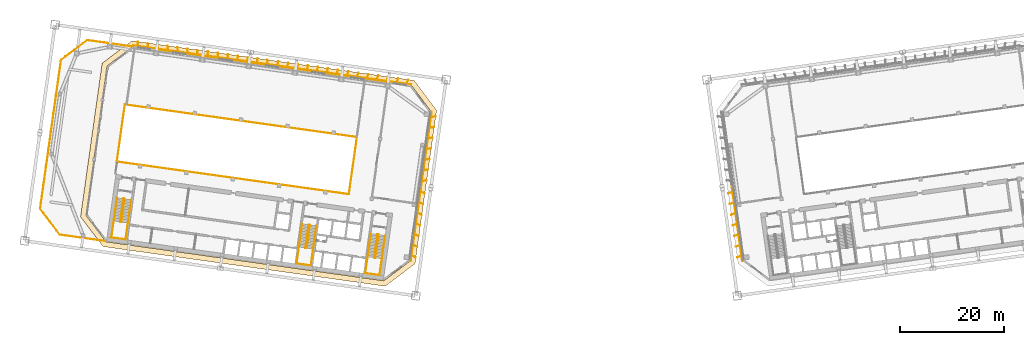
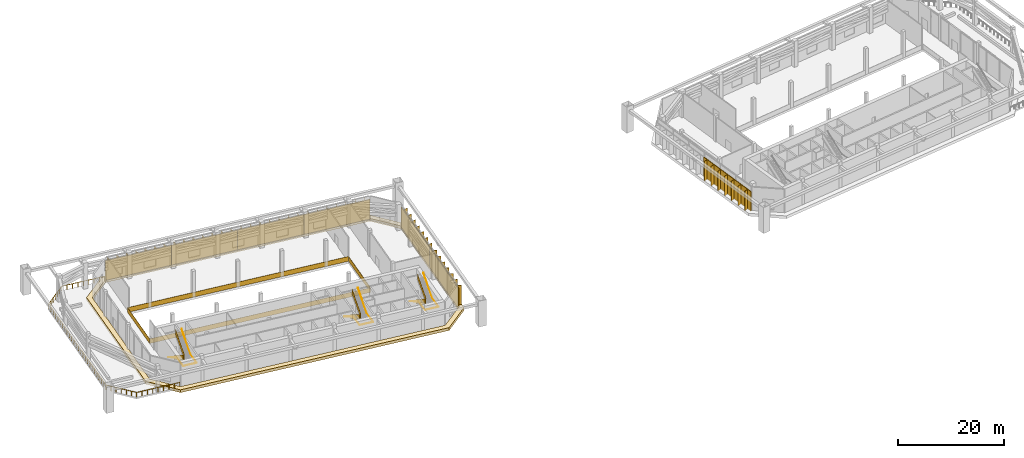
# One storey, part 40 of 41: 8 railings, 7 shading devices, 1 covering.
"""IFC4 building model written with IfcOpenShell, lengths in metres."""

from ifc_helpers import new_model, si_unit, direction, frame, origin, origin_2d, place, context, subcontext, project, spatial, polyline, rectangle, outline, extrude, material, layer, layer_set, type_object, element, save


model = new_model("IFC4")

# Units and contexts
model_context = context("Model", 3, precision=1e-05, world=origin(), true_north=direction((0.0, 1.0)))
body_context = subcontext(model_context, "Body", "Model", "MODEL_VIEW")
ifc_project = project(units=[si_unit("LENGTHUNIT", "METRE"), si_unit("AREAUNIT", "SQUARE_METRE"), si_unit("VOLUMEUNIT", "CUBIC_METRE"), si_unit("PLANEANGLEUNIT", "RADIAN"), si_unit("MASSUNIT", "GRAM", prefix="KILO")], contexts=[model_context])

# Site, building, storey
site_placement = place(None, origin())
site = spatial("IfcSite", under=ifc_project, at=site_placement, CompositionType="ELEMENT")
building_placement = place(site_placement, origin())
building = spatial("IfcBuilding", under=site, at=building_placement, Name="Mirante Cascada Hotel Towers", CompositionType="ELEMENT")
storey_placement = place(building_placement, frame((0.0, 0.0, 92.7)))
storey = spatial("IfcBuildingStorey", under=building, at=storey_placement, Name="L20", CompositionType="ELEMENT", Elevation=92.7)

# Covering
ifc_material_1 = material(Name="Precast concrete C40/50 white", Category="concrete")
ifc_layer = layer(ifc_material_1, 0.6)
ifc_layer_set = layer_set([ifc_layer], Name="Precast concrete SUNSHADE band 1000x600")
covering_type = type_object("IfcCoveringType", Name="Precast concrete SUNSHADE band 1000x600", PredefinedType="CLADDING", material=ifc_layer_set)
covering_placement = place(storey_placement, frame((0.0, 0.0, -0.5)))
element("IfcCovering", 1, at=covering_placement, inside=storey, type_object=covering_type, Name="Precast concrete SUNSHADE band T1 L20", PredefinedType="CLADDING", context=body_context, shape_type="SweptSolid", body=[
    extrude(outline(polyline([(-95.4528, -7.862), (-91.3015, 21.6761), (-85.5574, 26.0046), (-31.2626, 18.374), (-26.9341, 12.6299), (-31.0854, -16.9082), (-36.8295, -21.2367), (-91.1243, -13.6061), (-95.4528, -7.862)]), holes=[polyline([(-27.982, 12.3589), (-31.8119, 17.4414), (-85.2864, 24.9567), (-90.3689, 21.1268), (-94.4049, -7.591), (-90.575, -12.6735), (-37.1005, -20.1888), (-32.018, -16.3589), (-27.982, 12.3589)])]), origin(), (0.0, 0.0, 1.0), 0.65),
])

# Railings
ifc_material_2 = material(Name="Toughened glass", Category="glass")
railing_type_1 = type_object("IfcRailingType", Name="Refuge floor atrium guard 1100 glass balustrade", PredefinedType="GUARDRAIL", material=ifc_material_2)
railing_1_placement = place(storey_placement, frame((-43.7993, -3.5445, 0.0)))
element("IfcRailing", 2, at=railing_1_placement, inside=storey, type_object=railing_type_1, Name="Atrium guard T1 L20", PredefinedType="GUARDRAIL", context=body_context, shape_type="SweptSolid", body=[
    extrude(rectangle(XDim=0.048, YDim=0.048, at=origin_2d()), frame((0.0, 0.0, 1.076), z_axis=(-0.9902681, 0.1391732, 0.0), x_axis=(-0.1391732, -0.9902681, 0.0)), (0.0, 0.0, 1.0), 45.0999),
    extrude(rectangle(XDim=0.02, YDim=1.052, at=origin_2d()), frame((0.0, 0.0, 0.526), z_axis=(-0.9902681, 0.1391732, 0.0), x_axis=(-0.1391732, -0.9902681, 0.0)), (0.0, 0.0, 1.0), 45.0999),
    extrude(rectangle(XDim=0.048, YDim=0.048, at=origin_2d()), frame((-44.661, 6.2767, 1.076), z_axis=(0.1391721, 0.9902682, 0.0), x_axis=(-0.9902682, 0.1391721, 0.0)), (0.0, 0.0, 1.0), 11.0999),
    extrude(rectangle(XDim=0.02, YDim=1.052, at=origin_2d()), frame((-44.661, 6.2767, 0.526), z_axis=(0.1391721, 0.9902682, 0.0), x_axis=(-0.9902682, 0.1391721, 0.0)), (0.0, 0.0, 1.0), 11.0999),
    extrude(rectangle(XDim=0.048, YDim=0.048, at=origin_2d()), frame((-43.1162, 17.2686, 1.076), z_axis=(0.9902681, -0.1391729, 0.0), x_axis=(0.1391729, 0.9902681, 0.0)), (0.0, 0.0, 1.0), 45.1),
    extrude(rectangle(XDim=0.02, YDim=1.052, at=origin_2d()), frame((-43.1162, 17.2686, 0.526), z_axis=(0.9902681, -0.1391729, 0.0), x_axis=(0.1391729, 0.9902681, 0.0)), (0.0, 0.0, 1.0), 45.1),
    extrude(rectangle(XDim=0.048, YDim=0.048, at=origin_2d()), frame((1.5449, 10.9919, 1.076), z_axis=(-0.139181, -0.990267, 0.0), x_axis=(0.990267, -0.139181, 0.0)), (0.0, 0.0, 1.0), 11.0999),
    extrude(rectangle(XDim=0.02, YDim=1.052, at=origin_2d()), frame((1.5449, 10.9919, 0.526), z_axis=(-0.139181, -0.990267, 0.0), x_axis=(0.990267, -0.139181, 0.0)), (0.0, 0.0, 1.0), 11.0999),
])
ifc_material_3 = material(Name="Painted steel", Category="steel")
railing_type_2 = type_object("IfcRailingType", Name="Stair guard 1100 steel balustrade", PredefinedType="GUARDRAIL", material=ifc_material_3)
railing_2_placement = place(storey_placement, frame((-38.1178, -11.2603, 0.0)))
element("IfcRailing", 3, at=railing_2_placement, inside=storey, type_object=railing_type_2, Name="L20 ST1-A stair guard 1", PredefinedType="GUARDRAIL", context=body_context, shape_type="SweptSolid", body=[
    extrude(rectangle(XDim=0.048, YDim=0.048, at=origin_2d()), frame((0.0, 0.0, 1.076), z_axis=(-0.9903326, 0.1387133, 0.0), x_axis=(-0.1387133, -0.9903326, 0.0)), (0.0, 0.0, 1.0), 0.1499),
    extrude(rectangle(XDim=0.02, YDim=1.052, at=origin_2d()), frame((0.0, 0.0, 0.526), z_axis=(-0.9903326, 0.1387133, 0.0), x_axis=(-0.1387133, -0.9903326, 0.0)), (0.0, 0.0, 1.0), 0.1499),
    extrude(rectangle(XDim=0.048, YDim=0.048, at=origin_2d()), frame((-0.1485, 0.0208, 1.076), z_axis=(-0.7991505, -0.6011309, 0.0), x_axis=(0.6011309, -0.7991505, 0.0)), (0.0, 0.9282951, 0.3718444), 0.1901),
    extrude(rectangle(XDim=0.02, YDim=1.052, at=origin_2d()), frame((-0.1485, 0.0208, 0.526), z_axis=(-0.7991505, -0.6011309, 0.0), x_axis=(0.6011309, -0.7991505, 0.0)), (0.0, 0.9282951, 0.3718444), 0.1901),
    extrude(rectangle(XDim=0.048, YDim=0.048, at=origin_2d()), frame((-0.205, -0.0217, 1.2525), z_axis=(-0.1391741, -0.9902679, 0.0), x_axis=(0.9902679, -0.1391741, 0.0)), (0.0, 0.5331864, 0.8459978), 5.2955),
    extrude(rectangle(XDim=0.02, YDim=1.052, at=origin_2d()), frame((-0.205, -0.0217, 0.7025), z_axis=(-0.1391741, -0.9902679, 0.0), x_axis=(0.9902679, -0.1391741, 0.0)), (0.0, 0.5331864, 0.8459978), 5.2955),
    extrude(rectangle(XDim=0.048, YDim=0.048, at=origin_2d()), frame((-0.8285, -4.4581, 4.076), z_axis=(0.9268624, -0.3754011, 0.0), x_axis=(0.3754011, 0.9268624, 0.0)), (0.0, 0.0, 1.0), 0.2062),
    extrude(rectangle(XDim=0.02, YDim=1.052, at=origin_2d()), frame((-0.8285, -4.4581, 3.526), z_axis=(0.9268624, -0.3754011, 0.0), x_axis=(0.3754011, 0.9268624, 0.0)), (0.0, 0.0, 1.0), 0.2062),
    extrude(rectangle(XDim=0.048, YDim=0.048, at=origin_2d()), frame((-0.6374, -4.5355, 4.076), z_axis=(-0.9902408, 0.1393672, 0.0), x_axis=(-0.1393672, -0.9902408, 0.0)), (0.0, 0.0, 1.0), 0.15),
    extrude(rectangle(XDim=0.02, YDim=1.052, at=origin_2d()), frame((-0.6374, -4.5355, 3.526), z_axis=(-0.9902408, 0.1393672, 0.0), x_axis=(-0.1393672, -0.9902408, 0.0)), (0.0, 0.0, 1.0), 0.15),
    extrude(rectangle(XDim=0.048, YDim=0.048, at=origin_2d()), frame((-0.7859, -4.5146, 4.076), z_axis=(0.9944441, 0.1052656, 0.0), x_axis=(-0.1052656, 0.9944441, 0.0)), (0.0, 0.650375, 0.7596133), 0.2714),
    extrude(rectangle(XDim=0.02, YDim=1.052, at=origin_2d()), frame((-0.7859, -4.5146, 3.526), z_axis=(0.9944441, 0.1052656, 0.0), x_axis=(-0.1052656, 0.9944441, 0.0)), (0.0, 0.650375, 0.7596133), 0.2714),
    extrude(rectangle(XDim=0.048, YDim=0.048, at=origin_2d()), frame((-0.5809, -4.4929, 4.2525), z_axis=(0.1391741, 0.9902679, 0.0), x_axis=(-0.9902679, 0.1391741, 0.0)), (0.0, 0.5331864, 0.8459978), 5.2955),
    extrude(rectangle(XDim=0.02, YDim=1.052, at=origin_2d()), frame((-0.5809, -4.4929, 3.7025), z_axis=(0.1391741, 0.9902679, 0.0), x_axis=(-0.9902679, 0.1391741, 0.0)), (0.0, 0.5331864, 0.8459978), 5.2955),
])
railing_3_placement = place(storey_placement, frame((-51.3379, -9.4024, 0.0)))
element("IfcRailing", 4, at=railing_3_placement, inside=storey, type_object=railing_type_2, Name="L20 ST1-B stair guard 1", PredefinedType="GUARDRAIL", context=body_context, shape_type="SweptSolid", body=[
    extrude(rectangle(XDim=0.048, YDim=0.048, at=origin_2d()), frame((0.0, 0.0, 1.076), z_axis=(-0.9902408, 0.1393672, 0.0), x_axis=(-0.1393672, -0.9902408, 0.0)), (0.0, 0.0, 1.0), 0.15),
    extrude(rectangle(XDim=0.02, YDim=1.052, at=origin_2d()), frame((0.0, 0.0, 0.526), z_axis=(-0.9902408, 0.1393672, 0.0), x_axis=(-0.1393672, -0.9902408, 0.0)), (0.0, 0.0, 1.0), 0.15),
    extrude(rectangle(XDim=0.048, YDim=0.048, at=origin_2d()), frame((-0.1485, 0.0209, 1.076), z_axis=(-0.7984711, -0.6020331, 0.0), x_axis=(0.6020331, -0.7984711, 0.0)), (0.0, 0.9281858, 0.372117), 0.1902),
    extrude(rectangle(XDim=0.02, YDim=1.052, at=origin_2d()), frame((-0.1485, 0.0209, 0.526), z_axis=(-0.7984711, -0.6020331, 0.0), x_axis=(0.6020331, -0.7984711, 0.0)), (0.0, 0.9281858, 0.372117), 0.1902),
    extrude(rectangle(XDim=0.048, YDim=0.048, at=origin_2d()), frame((-0.205, -0.0217, 1.2525), z_axis=(-0.1391741, -0.9902679, 0.0), x_axis=(0.9902679, -0.1391741, 0.0)), (0.0, 0.5331864, 0.8459978), 5.2955),
    extrude(rectangle(XDim=0.02, YDim=1.052, at=origin_2d()), frame((-0.205, -0.0217, 0.7025), z_axis=(-0.1391741, -0.9902679, 0.0), x_axis=(0.9902679, -0.1391741, 0.0)), (0.0, 0.5331864, 0.8459978), 5.2955),
    extrude(rectangle(XDim=0.048, YDim=0.048, at=origin_2d()), frame((-0.8285, -4.4581, 4.076), z_axis=(0.9270311, -0.3749843, 0.0), x_axis=(0.3749843, 0.9270311, 0.0)), (0.0, 0.0, 1.0), 0.2061),
    extrude(rectangle(XDim=0.02, YDim=1.052, at=origin_2d()), frame((-0.8285, -4.4581, 3.526), z_axis=(0.9270311, -0.3749843, 0.0), x_axis=(0.3749843, 0.9270311, 0.0)), (0.0, 0.0, 1.0), 0.2061),
    extrude(rectangle(XDim=0.048, YDim=0.048, at=origin_2d()), frame((-0.6374, -4.5354, 4.076), z_axis=(-0.9902408, 0.1393672, 0.0), x_axis=(-0.1393672, -0.9902408, 0.0)), (0.0, 0.0, 1.0), 0.15),
    extrude(rectangle(XDim=0.02, YDim=1.052, at=origin_2d()), frame((-0.6374, -4.5354, 3.526), z_axis=(-0.9902408, 0.1393672, 0.0), x_axis=(-0.1393672, -0.9902408, 0.0)), (0.0, 0.0, 1.0), 0.15),
    extrude(rectangle(XDim=0.048, YDim=0.048, at=origin_2d()), frame((-0.7859, -4.5145, 4.076), z_axis=(0.9944948, 0.1047858, 0.0), x_axis=(-0.1047858, 0.9944948, 0.0)), (0.0, 0.6503941, 0.759597), 0.2714),
    extrude(rectangle(XDim=0.02, YDim=1.052, at=origin_2d()), frame((-0.7859, -4.5145, 3.526), z_axis=(0.9944948, 0.1047858, 0.0), x_axis=(-0.1047858, 0.9944948, 0.0)), (0.0, 0.6503941, 0.759597), 0.2714),
    extrude(rectangle(XDim=0.048, YDim=0.048, at=origin_2d()), frame((-0.5809, -4.4929, 4.2525), z_axis=(0.1391741, 0.9902679, 0.0), x_axis=(-0.9902679, 0.1391741, 0.0)), (0.0, 0.5331864, 0.8459978), 5.2955),
    extrude(rectangle(XDim=0.02, YDim=1.052, at=origin_2d()), frame((-0.5809, -4.4929, 3.7025), z_axis=(0.1391741, 0.9902679, 0.0), x_axis=(-0.9902679, 0.1391741, 0.0)), (0.0, 0.5331864, 0.8459978), 5.2955),
])
railing_4_placement = place(storey_placement, frame((-86.9875, -4.3922, 0.0)))
element("IfcRailing", 5, at=railing_4_placement, inside=storey, type_object=railing_type_2, Name="L20 ST1-C stair guard 1", PredefinedType="GUARDRAIL", context=body_context, shape_type="SweptSolid", body=[
    extrude(rectangle(XDim=0.048, YDim=0.048, at=origin_2d()), frame((0.0, 0.0, 1.076), z_axis=(-0.9902537, 0.1392753, 0.0), x_axis=(-0.1392753, -0.9902537, 0.0)), (0.0, 0.0, 1.0), 0.1501),
    extrude(rectangle(XDim=0.02, YDim=1.052, at=origin_2d()), frame((0.0, 0.0, 0.526), z_axis=(-0.9902537, 0.1392753, 0.0), x_axis=(-0.1392753, -0.9902537, 0.0)), (0.0, 0.0, 1.0), 0.1501),
    extrude(rectangle(XDim=0.048, YDim=0.048, at=origin_2d()), frame((-0.1486, 0.0209, 1.076), z_axis=(-0.7986386, -0.601811, 0.0), x_axis=(0.601811, -0.7986386, 0.0)), (0.0, 0.9284401, 0.3714822), 0.1901),
    extrude(rectangle(XDim=0.02, YDim=1.052, at=origin_2d()), frame((-0.1486, 0.0209, 0.526), z_axis=(-0.7986386, -0.601811, 0.0), x_axis=(0.601811, -0.7986386, 0.0)), (0.0, 0.9284401, 0.3714822), 0.1901),
    extrude(rectangle(XDim=0.048, YDim=0.048, at=origin_2d()), frame((-0.205, -0.0216, 1.2525), z_axis=(-0.1391741, -0.9902679, 0.0), x_axis=(0.9902679, -0.1391741, 0.0)), (0.0, 0.5331864, 0.8459978), 5.2955),
    extrude(rectangle(XDim=0.02, YDim=1.052, at=origin_2d()), frame((-0.205, -0.0216, 0.7025), z_axis=(-0.1391741, -0.9902679, 0.0), x_axis=(0.9902679, -0.1391741, 0.0)), (0.0, 0.5331864, 0.8459978), 5.2955),
    extrude(rectangle(XDim=0.048, YDim=0.048, at=origin_2d()), frame((-0.8285, -4.458, 4.076), z_axis=(0.9268624, -0.3754011, 0.0), x_axis=(0.3754011, 0.9268624, 0.0)), (0.0, 0.0, 1.0), 0.2062),
    extrude(rectangle(XDim=0.02, YDim=1.052, at=origin_2d()), frame((-0.8285, -4.458, 3.526), z_axis=(0.9268624, -0.3754011, 0.0), x_axis=(0.3754011, 0.9268624, 0.0)), (0.0, 0.0, 1.0), 0.2062),
    extrude(rectangle(XDim=0.048, YDim=0.048, at=origin_2d()), frame((-0.6374, -4.5354, 4.076), z_axis=(-0.9902537, 0.1392753, 0.0), x_axis=(-0.1392753, -0.9902537, 0.0)), (0.0, 0.0, 1.0), 0.1501),
    extrude(rectangle(XDim=0.02, YDim=1.052, at=origin_2d()), frame((-0.6374, -4.5354, 3.526), z_axis=(-0.9902537, 0.1392753, 0.0), x_axis=(-0.1392753, -0.9902537, 0.0)), (0.0, 0.0, 1.0), 0.1501),
    extrude(rectangle(XDim=0.048, YDim=0.048, at=origin_2d()), frame((-0.786, -4.5145, 4.076), z_axis=(0.9944441, 0.1052656, 0.0), x_axis=(-0.1052656, 0.9944441, 0.0)), (0.0, 0.650375, 0.7596133), 0.2714),
    extrude(rectangle(XDim=0.02, YDim=1.052, at=origin_2d()), frame((-0.786, -4.5145, 3.526), z_axis=(0.9944441, 0.1052656, 0.0), x_axis=(-0.1052656, 0.9944441, 0.0)), (0.0, 0.650375, 0.7596133), 0.2714),
    extrude(rectangle(XDim=0.048, YDim=0.048, at=origin_2d()), frame((-0.581, -4.4928, 4.2525), z_axis=(0.1391741, 0.9902679, 0.0), x_axis=(-0.9902679, 0.1391741, 0.0)), (0.0, 0.5331864, 0.8459978), 5.2955),
    extrude(rectangle(XDim=0.02, YDim=1.052, at=origin_2d()), frame((-0.581, -4.4928, 3.7025), z_axis=(0.1391741, 0.9902679, 0.0), x_axis=(-0.9902679, 0.1391741, 0.0)), (0.0, 0.5331864, 0.8459978), 5.2955),
])
ifc_material_4 = material(Name="Painted steel", Category="steel")
railing_type_3 = type_object("IfcRailingType", Name="Stair handrail 900 steel tube", PredefinedType="HANDRAIL", material=ifc_material_4)
railing_5_placement = place(storey_placement, frame((-39.5606, -11.1081, 0.1765)))
element("IfcRailing", 6, at=railing_5_placement, inside=storey, type_object=railing_type_3, Name="L20 ST1-A stair handrail 1", PredefinedType="HANDRAIL", context=body_context, shape_type="SweptSolid", body=[
    extrude(rectangle(XDim=0.048, YDim=0.048, at=origin_2d()), frame((0.0, 0.0, 0.876), z_axis=(-0.1391741, -0.9902679, 0.0), x_axis=(0.9902679, -0.1391741, 0.0)), (0.0, 0.5331864, 0.8459978), 5.2955),
    extrude(rectangle(XDim=0.048, YDim=0.048, at=origin_2d()), frame((-0.6234, -4.4354, 3.6994), z_axis=(-0.1391949, -0.990265, 0.0), x_axis=(0.990265, -0.1391949, 0.0)), (0.0, 0.0547324, 0.9985011), 3.2258),
    extrude(rectangle(XDim=0.048, YDim=0.048, at=origin_2d()), frame((-1.0717, -7.625, 3.876), z_axis=(0.9902698, -0.1391607, 0.0), x_axis=(0.1391607, 0.9902698, 0.0)), (0.0, 0.0, 1.0), 2.7501),
    extrude(rectangle(XDim=0.048, YDim=0.048, at=origin_2d()), frame((1.6516, -8.0077, 3.876), z_axis=(0.1391644, 0.9902693, 0.0), x_axis=(-0.9902693, 0.1391644, 0.0)), (0.0, 0.0, 1.0), 3.2199),
    extrude(rectangle(XDim=0.048, YDim=0.048, at=origin_2d()), frame((2.0996, -4.8199, 3.8755), z_axis=(0.1391741, 0.9902679, 0.0), x_axis=(-0.9902679, 0.1391741, 0.0)), (0.0, 0.5331864, 0.8459978), 5.2965),
])
railing_6_placement = place(storey_placement, frame((-52.7807, -9.2501, 0.1765)))
element("IfcRailing", 7, at=railing_6_placement, inside=storey, type_object=railing_type_3, Name="L20 ST1-B stair handrail 1", PredefinedType="HANDRAIL", context=body_context, shape_type="SweptSolid", body=[
    extrude(rectangle(XDim=0.048, YDim=0.048, at=origin_2d()), frame((0.0, 0.0, 0.876), z_axis=(-0.1391741, -0.9902679, 0.0), x_axis=(0.9902679, -0.1391741, 0.0)), (0.0, 0.5331864, 0.8459978), 5.2955),
    extrude(rectangle(XDim=0.048, YDim=0.048, at=origin_2d()), frame((-0.6234, -4.4354, 3.6994), z_axis=(-0.1391906, -0.9902656, 0.0), x_axis=(0.9902656, -0.1391906, 0.0)), (0.0, 0.0547307, 0.9985011), 3.2259),
    extrude(rectangle(XDim=0.048, YDim=0.048, at=origin_2d()), frame((-1.0717, -7.6251, 3.876), z_axis=(0.9902698, -0.1391607, 0.0), x_axis=(0.1391607, 0.9902698, 0.0)), (0.0, 0.0, 1.0), 2.7501),
    extrude(rectangle(XDim=0.048, YDim=0.048, at=origin_2d()), frame((1.6516, -8.0078, 3.876), z_axis=(0.1391601, 0.9902699, 0.0), x_axis=(-0.9902699, 0.1391601, 0.0)), (0.0, 0.0, 1.0), 3.22),
    extrude(rectangle(XDim=0.048, YDim=0.048, at=origin_2d()), frame((2.0996, -4.8199, 3.8755), z_axis=(0.1391741, 0.9902679, 0.0), x_axis=(-0.9902679, 0.1391741, 0.0)), (0.0, 0.5331864, 0.8459978), 5.2965),
])
railing_7_placement = place(storey_placement, frame((-88.4304, -4.2399, 0.1765)))
element("IfcRailing", 8, at=railing_7_placement, inside=storey, type_object=railing_type_3, Name="L20 ST1-C stair handrail 1", PredefinedType="HANDRAIL", context=body_context, shape_type="SweptSolid", body=[
    extrude(rectangle(XDim=0.048, YDim=0.048, at=origin_2d()), frame((0.0, 0.0, 0.876), z_axis=(-0.1391741, -0.9902679, 0.0), x_axis=(0.9902679, -0.1391741, 0.0)), (0.0, 0.5331864, 0.8459978), 5.2955),
    extrude(rectangle(XDim=0.048, YDim=0.048, at=origin_2d()), frame((-0.6234, -4.4354, 3.6994), z_axis=(-0.1391644, -0.9902693, 0.0), x_axis=(0.9902693, -0.1391644, 0.0)), (0.0, 0.0547327, 0.998501), 3.2258),
    extrude(rectangle(XDim=0.048, YDim=0.048, at=origin_2d()), frame((-1.0716, -7.625, 3.876), z_axis=(0.9902641, -0.1392013, 0.0), x_axis=(0.1392013, 0.9902641, 0.0)), (0.0, 0.0, 1.0), 2.75),
    extrude(rectangle(XDim=0.048, YDim=0.048, at=origin_2d()), frame((1.6516, -8.0078, 3.876), z_axis=(0.1391906, 0.9902656, 0.0), x_axis=(-0.9902656, 0.1391906, 0.0)), (0.0, 0.0, 1.0), 3.22),
    extrude(rectangle(XDim=0.048, YDim=0.048, at=origin_2d()), frame((2.0997, -4.8199, 3.8755), z_axis=(0.1391741, 0.9902679, 0.0), x_axis=(-0.9902679, 0.1391741, 0.0)), (0.0, 0.5331864, 0.8459978), 5.2965),
])
ifc_material_5 = material(Name="Stainless steel AISI 316", Category="steel")
railing_type_4 = type_object("IfcRailingType", Name="Terrace guard 1100", PredefinedType="GUARDRAIL", material=ifc_material_5)
railing_8_placement = place(storey_placement, frame((-85.4273, 24.8755, 0.0)))
element("IfcRailing", 9, at=railing_8_placement, inside=storey, type_object=railing_type_4, Name="GUARD T1 L20 terrace 1", PredefinedType="GUARDRAIL", context=body_context, shape_type="SweptSolid", body=[
    extrude(outline(polyline([(0.025, 0.0104), (0.0104, 0.025), (-0.0104, 0.025), (-0.025, 0.0104), (-0.025, -0.0104), (-0.0104, -0.025), (0.0104, -0.025), (0.025, -0.0104), (0.025, 0.0104)])), frame((0.0, 0.0, 1.075), z_axis=(-0.9902672, 0.1391792, 0.0), x_axis=(-0.1391792, -0.9902672, 0.0)), (0.0, 0.0, 1.0), 8.8303),
    extrude(outline(polyline([(0.025, 0.0104), (0.0104, 0.025), (-0.0104, 0.025), (-0.025, 0.0104), (-0.025, -0.0104), (-0.0104, -0.025), (0.0104, -0.025), (0.025, -0.0104), (0.025, 0.0104)])), frame((-8.7444, 1.229, 1.075), z_axis=(-0.7986319, -0.6018198, 0.0), x_axis=(0.6018198, -0.7986319, 0.0)), (0.0, 0.0, 1.0), 6.2811),
    extrude(outline(polyline([(0.025, 0.0104), (0.0104, 0.025), (-0.0104, 0.025), (-0.025, 0.0104), (-0.025, -0.0104), (-0.0104, -0.025), (0.0104, -0.025), (0.025, -0.0104), (0.025, 0.0104)])), frame((-13.7607, -2.5511, 1.075), z_axis=(-0.1391736, -0.990268, 0.0), x_axis=(0.990268, -0.1391736, 0.0)), (0.0, 0.0, 1.0), 28.9171),
    extrude(outline(polyline([(0.025, 0.0104), (0.0104, 0.025), (-0.0104, 0.025), (-0.025, 0.0104), (-0.025, -0.0104), (-0.0104, -0.025), (0.0104, -0.025), (0.025, -0.0104), (0.025, 0.0104)])), frame((-17.7852, -31.1868, 1.075), z_axis=(0.6018198, -0.7986319, 0.0), x_axis=(0.7986319, 0.6018198, 0.0)), (0.0, 0.0, 1.0), 6.2811),
    extrude(outline(polyline([(0.025, 0.0104), (0.0104, 0.025), (-0.0104, 0.025), (-0.025, 0.0104), (-0.025, -0.0104), (-0.0104, -0.025), (0.0104, -0.025), (0.025, -0.0104), (0.025, 0.0104)])), frame((-14.0051, -36.2031, 1.075), z_axis=(0.990267, -0.1391807, 0.0), x_axis=(0.1391807, 0.990267, 0.0)), (0.0, 0.0, 1.0), 8.8302),
    extrude(rectangle(XDim=0.05, YDim=0.05, at=origin_2d()), origin(), (0.0, 0.0, 1.0), 1.05),
    extrude(rectangle(XDim=0.05, YDim=0.05, at=origin_2d()), frame((-1.093, 0.1536, 0.0)), (0.0, 0.0, 1.0), 1.05),
    extrude(rectangle(XDim=0.05, YDim=0.05, at=origin_2d()), frame((-2.1861, 0.3073, 0.0)), (0.0, 0.0, 1.0), 1.05),
    extrude(rectangle(XDim=0.05, YDim=0.05, at=origin_2d()), frame((-3.2791, 0.4609, 0.0)), (0.0, 0.0, 1.0), 1.05),
    extrude(rectangle(XDim=0.05, YDim=0.05, at=origin_2d()), frame((-4.3722, 0.6145, 0.0)), (0.0, 0.0, 1.0), 1.05),
    extrude(rectangle(XDim=0.05, YDim=0.05, at=origin_2d()), frame((-5.4652, 0.7681, 0.0)), (0.0, 0.0, 1.0), 1.05),
    extrude(rectangle(XDim=0.05, YDim=0.05, at=origin_2d()), frame((-6.5583, 0.9218, 0.0)), (0.0, 0.0, 1.0), 1.05),
    extrude(rectangle(XDim=0.05, YDim=0.05, at=origin_2d()), frame((-7.6513, 1.0754, 0.0)), (0.0, 0.0, 1.0), 1.05),
    extrude(rectangle(XDim=0.05, YDim=0.05, at=origin_2d()), frame((-8.7444, 1.229, 0.0)), (0.0, 0.0, 1.0), 1.05),
    extrude(rectangle(XDim=0.05, YDim=0.05, at=origin_2d()), frame((-9.5804, 0.599, 0.0)), (0.0, 0.0, 1.0), 1.05),
    extrude(rectangle(XDim=0.05, YDim=0.05, at=origin_2d()), frame((-10.4165, -0.031, 0.0)), (0.0, 0.0, 1.0), 1.05),
    extrude(rectangle(XDim=0.05, YDim=0.05, at=origin_2d()), frame((-11.2526, -0.661, 0.0)), (0.0, 0.0, 1.0), 1.05),
    extrude(rectangle(XDim=0.05, YDim=0.05, at=origin_2d()), frame((-12.0886, -1.2911, 0.0)), (0.0, 0.0, 1.0), 1.05),
    extrude(rectangle(XDim=0.05, YDim=0.05, at=origin_2d()), frame((-12.9246, -1.9211, 0.0)), (0.0, 0.0, 1.0), 1.05),
    extrude(rectangle(XDim=0.05, YDim=0.05, at=origin_2d()), frame((-13.7607, -2.5511, 0.0)), (0.0, 0.0, 1.0), 1.05),
    extrude(rectangle(XDim=0.05, YDim=0.05, at=origin_2d()), frame((-13.9217, -3.6965, 0.0)), (0.0, 0.0, 1.0), 1.05),
    extrude(rectangle(XDim=0.05, YDim=0.05, at=origin_2d()), frame((-14.0827, -4.842, 0.0)), (0.0, 0.0, 1.0), 1.05),
    extrude(rectangle(XDim=0.05, YDim=0.05, at=origin_2d()), frame((-14.2436, -5.9874, 0.0)), (0.0, 0.0, 1.0), 1.05),
    extrude(rectangle(XDim=0.05, YDim=0.05, at=origin_2d()), frame((-14.4046, -7.1328, 0.0)), (0.0, 0.0, 1.0), 1.05),
    extrude(rectangle(XDim=0.05, YDim=0.05, at=origin_2d()), frame((-14.5656, -8.2782, 0.0)), (0.0, 0.0, 1.0), 1.05),
    extrude(rectangle(XDim=0.05, YDim=0.05, at=origin_2d()), frame((-14.7266, -9.4237, 0.0)), (0.0, 0.0, 1.0), 1.05),
    extrude(rectangle(XDim=0.05, YDim=0.05, at=origin_2d()), frame((-14.8876, -10.5691, 0.0)), (0.0, 0.0, 1.0), 1.05),
    extrude(rectangle(XDim=0.05, YDim=0.05, at=origin_2d()), frame((-15.0485, -11.7145, 0.0)), (0.0, 0.0, 1.0), 1.05),
    extrude(rectangle(XDim=0.05, YDim=0.05, at=origin_2d()), frame((-15.2095, -12.86, 0.0)), (0.0, 0.0, 1.0), 1.05),
    extrude(rectangle(XDim=0.05, YDim=0.05, at=origin_2d()), frame((-15.3705, -14.0054, 0.0)), (0.0, 0.0, 1.0), 1.05),
    extrude(rectangle(XDim=0.05, YDim=0.05, at=origin_2d()), frame((-15.5315, -15.1508, 0.0)), (0.0, 0.0, 1.0), 1.05),
    extrude(rectangle(XDim=0.05, YDim=0.05, at=origin_2d()), frame((-15.6925, -16.2962, 0.0)), (0.0, 0.0, 1.0), 1.05),
    extrude(rectangle(XDim=0.05, YDim=0.05, at=origin_2d()), frame((-15.8534, -17.4417, 0.0)), (0.0, 0.0, 1.0), 1.05),
    extrude(rectangle(XDim=0.05, YDim=0.05, at=origin_2d()), frame((-16.0144, -18.5871, 0.0)), (0.0, 0.0, 1.0), 1.05),
    extrude(rectangle(XDim=0.05, YDim=0.05, at=origin_2d()), frame((-16.1754, -19.7325, 0.0)), (0.0, 0.0, 1.0), 1.05),
    extrude(rectangle(XDim=0.05, YDim=0.05, at=origin_2d()), frame((-16.3364, -20.8779, 0.0)), (0.0, 0.0, 1.0), 1.05),
    extrude(rectangle(XDim=0.05, YDim=0.05, at=origin_2d()), frame((-16.4974, -22.0234, 0.0)), (0.0, 0.0, 1.0), 1.05),
    extrude(rectangle(XDim=0.05, YDim=0.05, at=origin_2d()), frame((-16.6583, -23.1688, 0.0)), (0.0, 0.0, 1.0), 1.05),
    extrude(rectangle(XDim=0.05, YDim=0.05, at=origin_2d()), frame((-16.8193, -24.3142, 0.0)), (0.0, 0.0, 1.0), 1.05),
    extrude(rectangle(XDim=0.05, YDim=0.05, at=origin_2d()), frame((-16.9803, -25.4597, 0.0)), (0.0, 0.0, 1.0), 1.05),
    extrude(rectangle(XDim=0.05, YDim=0.05, at=origin_2d()), frame((-17.1413, -26.6051, 0.0)), (0.0, 0.0, 1.0), 1.05),
    extrude(rectangle(XDim=0.05, YDim=0.05, at=origin_2d()), frame((-17.3023, -27.7505, 0.0)), (0.0, 0.0, 1.0), 1.05),
    extrude(rectangle(XDim=0.05, YDim=0.05, at=origin_2d()), frame((-17.4632, -28.8959, 0.0)), (0.0, 0.0, 1.0), 1.05),
    extrude(rectangle(XDim=0.05, YDim=0.05, at=origin_2d()), frame((-17.6242, -30.0414, 0.0)), (0.0, 0.0, 1.0), 1.05),
    extrude(rectangle(XDim=0.05, YDim=0.05, at=origin_2d()), frame((-17.7852, -31.1868, 0.0)), (0.0, 0.0, 1.0), 1.05),
    extrude(rectangle(XDim=0.05, YDim=0.05, at=origin_2d()), frame((-17.1552, -32.0228, 0.0)), (0.0, 0.0, 1.0), 1.05),
    extrude(rectangle(XDim=0.05, YDim=0.05, at=origin_2d()), frame((-16.5252, -32.8589, 0.0)), (0.0, 0.0, 1.0), 1.05),
    extrude(rectangle(XDim=0.05, YDim=0.05, at=origin_2d()), frame((-15.8952, -33.695, 0.0)), (0.0, 0.0, 1.0), 1.05),
    extrude(rectangle(XDim=0.05, YDim=0.05, at=origin_2d()), frame((-15.2651, -34.531, 0.0)), (0.0, 0.0, 1.0), 1.05),
    extrude(rectangle(XDim=0.05, YDim=0.05, at=origin_2d()), frame((-14.6351, -35.367, 0.0)), (0.0, 0.0, 1.0), 1.05),
    extrude(rectangle(XDim=0.05, YDim=0.05, at=origin_2d()), frame((-14.0051, -36.2031, 0.0)), (0.0, 0.0, 1.0), 1.05),
    extrude(rectangle(XDim=0.05, YDim=0.05, at=origin_2d()), frame((-12.9121, -36.3567, 0.0)), (0.0, 0.0, 1.0), 1.05),
    extrude(rectangle(XDim=0.05, YDim=0.05, at=origin_2d()), frame((-11.819, -36.5104, 0.0)), (0.0, 0.0, 1.0), 1.05),
    extrude(rectangle(XDim=0.05, YDim=0.05, at=origin_2d()), frame((-10.726, -36.664, 0.0)), (0.0, 0.0, 1.0), 1.05),
    extrude(rectangle(XDim=0.05, YDim=0.05, at=origin_2d()), frame((-9.633, -36.8176, 0.0)), (0.0, 0.0, 1.0), 1.05),
    extrude(rectangle(XDim=0.05, YDim=0.05, at=origin_2d()), frame((-8.5399, -36.9712, 0.0)), (0.0, 0.0, 1.0), 1.05),
    extrude(rectangle(XDim=0.05, YDim=0.05, at=origin_2d()), frame((-7.4469, -37.1248, 0.0)), (0.0, 0.0, 1.0), 1.05),
    extrude(rectangle(XDim=0.05, YDim=0.05, at=origin_2d()), frame((-6.3538, -37.2785, 0.0)), (0.0, 0.0, 1.0), 1.05),
    extrude(rectangle(XDim=0.05, YDim=0.05, at=origin_2d()), frame((-5.2608, -37.4321, 0.0)), (0.0, 0.0, 1.0), 1.05),
])

# Shading devices
ifc_material_6 = material(Name="White precast concrete C50/60 fin", Category="concrete")
shading_device_type = type_object("IfcShadingDeviceType", Name="Vertical fin set 4500x900", PredefinedType="USERDEFINED", material=ifc_material_6)
shading_device_1_placement = place(storey_placement, origin())
element("IfcShadingDevice", 10, at=shading_device_1_placement, inside=storey, type_object=shading_device_type, Name="FIN T1 L20 front 1", ObjectType="FIN", PredefinedType="USERDEFINED", context=body_context, shape_type="SweptSolid", body=[
    extrude(outline(polyline([(-72.8241, 23.3567), (-71.8969, 23.2264), (-71.9178, 23.0779), (-85.2864, 24.9567), (-85.2655, 25.1053), (-84.3649, 24.9787), (-84.467, 25.81), (-84.3876, 25.8197), (-84.2829, 24.9672), (-82.4551, 24.7103), (-82.5572, 25.5416), (-82.4778, 25.5513), (-82.3731, 24.6988), (-80.5453, 24.4419), (-80.6474, 25.2732), (-80.5679, 25.2829), (-80.4633, 24.4303), (-78.6355, 24.1735), (-78.7376, 25.0047), (-78.6581, 25.0145), (-78.5535, 24.1619), (-76.7257, 23.9051), (-76.8277, 24.7363), (-76.7483, 24.7461), (-76.6437, 23.8935), (-74.8159, 23.6367), (-74.9179, 24.4679), (-74.8385, 24.4777), (-74.7339, 23.6251), (-72.9061, 23.3683), (-73.0081, 24.1995), (-72.9287, 24.2093), (-72.8241, 23.3567)])), origin(), (0.0, 0.0, 1.0), 4.55),
])
shading_device_2_placement = place(storey_placement, origin())
element("IfcShadingDevice", 11, at=shading_device_2_placement, inside=storey, type_object=shading_device_type, Name="FIN T1 L20 front 2", ObjectType="FIN", PredefinedType="USERDEFINED", context=body_context, shape_type="SweptSolid", body=[
    extrude(outline(polyline([(-59.4478, 21.4768), (-58.5283, 21.3476), (-58.5492, 21.199), (-71.9178, 23.0779), (-71.8969, 23.2264), (-70.9861, 23.0984), (-70.9418, 23.9436), (-70.8619, 23.9394), (-70.9066, 23.0872), (-69.0763, 22.83), (-69.032, 23.6752), (-68.9521, 23.671), (-68.9968, 22.8188), (-67.1665, 22.5616), (-67.1222, 23.4068), (-67.0423, 23.4026), (-67.087, 22.5504), (-65.2567, 22.2932), (-65.2124, 23.1384), (-65.1325, 23.1342), (-65.1772, 22.282), (-63.3469, 22.0248), (-63.3026, 22.8699), (-63.2227, 22.8658), (-63.2674, 22.0136), (-61.4371, 21.7564), (-61.3928, 22.6015), (-61.3129, 22.5974), (-61.3576, 21.7452), (-59.5273, 21.488), (-59.483, 22.3331), (-59.4031, 22.3289), (-59.4478, 21.4768)])), origin(), (0.0, 0.0, 1.0), 4.55),
])
shading_device_3_placement = place(storey_placement, origin())
element("IfcShadingDevice", 12, at=shading_device_3_placement, inside=storey, type_object=shading_device_type, Name="FIN T1 L20 front 3", ObjectType="FIN", PredefinedType="USERDEFINED", context=body_context, shape_type="SweptSolid", body=[
    extrude(outline(polyline([(-46.0705, 19.5968), (-45.1597, 19.4687), (-45.1805, 19.3202), (-58.5492, 21.199), (-58.5283, 21.3476), (-57.6088, 21.2184), (-57.4169, 22.0498), (-57.3389, 22.0318), (-57.5293, 21.2072), (-55.699, 20.95), (-55.5071, 21.7814), (-55.4291, 21.7634), (-55.6195, 20.9388), (-53.7892, 20.6816), (-53.5973, 21.513), (-53.5193, 21.495), (-53.7097, 20.6704), (-51.8794, 20.4131), (-51.6874, 21.2446), (-51.6095, 21.2266), (-51.7999, 20.402), (-49.9696, 20.1447), (-49.7776, 20.9762), (-49.6997, 20.9582), (-49.8901, 20.1336), (-48.0598, 19.8763), (-47.8678, 20.7078), (-47.7899, 20.6898), (-47.9803, 19.8652), (-46.15, 19.6079), (-45.958, 20.4394), (-45.8801, 20.4214), (-46.0705, 19.5968)])), origin(), (0.0, 0.0, 1.0), 4.55),
])
shading_device_4_placement = place(storey_placement, origin())
element("IfcShadingDevice", 13, at=shading_device_4_placement, inside=storey, type_object=shading_device_type, Name="FIN T1 L20 front 4", ObjectType="FIN", PredefinedType="USERDEFINED", context=body_context, shape_type="SweptSolid", body=[
    extrude(outline(polyline([(-32.6917, 17.7165), (-31.791, 17.5899), (-31.8119, 17.4414), (-45.1805, 19.3202), (-45.1597, 19.4687), (-44.2325, 19.3384), (-43.8969, 20.1291), (-43.8232, 20.0979), (-44.1505, 19.3269), (-42.3227, 19.07), (-41.9871, 19.8607), (-41.9134, 19.8295), (-42.2407, 19.0585), (-40.4129, 18.8016), (-40.0773, 19.5923), (-40.0036, 19.561), (-40.3309, 18.7901), (-38.5031, 18.5332), (-38.1675, 19.3239), (-38.0938, 19.2926), (-38.4211, 18.5217), (-36.5933, 18.2648), (-36.2577, 19.0555), (-36.184, 19.0242), (-36.5113, 18.2533), (-34.6835, 17.9964), (-34.3479, 18.7871), (-34.2742, 18.7558), (-34.6015, 17.9849), (-32.7737, 17.728), (-32.4381, 18.5187), (-32.3644, 18.4874), (-32.6917, 17.7165)])), origin(), (0.0, 0.0, 1.0), 4.55),
])
shading_device_5_placement = place(storey_placement, origin())
element("IfcShadingDevice", 14, at=shading_device_5_placement, inside=storey, type_object=shading_device_type, Name="FIN T1 L20 inner 1", ObjectType="FIN", PredefinedType="USERDEFINED", context=body_context, shape_type="SweptSolid", body=[
    extrude(outline(polyline([(-29.7112, -1.023), (-29.8515, -2.0209), (-30.0, -2.0), (-27.982, 12.3589), (-27.8334, 12.338), (-27.97, 11.3667), (-27.1387, 11.4687), (-27.1289, 11.3893), (-27.9815, 11.2846), (-28.2583, 9.3154), (-27.427, 9.4174), (-27.4172, 9.338), (-28.2698, 9.2334), (-28.5465, 7.2641), (-27.7153, 7.3662), (-27.7055, 7.2868), (-28.5581, 7.1821), (-28.8348, 5.2128), (-28.0036, 5.3149), (-27.9938, 5.2355), (-28.8464, 5.1308), (-29.1231, 3.1616), (-28.2918, 3.2636), (-28.2821, 3.1842), (-29.1346, 3.0796), (-29.4114, 1.1103), (-28.5801, 1.2124), (-28.5704, 1.133), (-29.4229, 1.0283), (-29.6997, -0.941), (-28.8684, -0.8389), (-28.8587, -0.9183), (-29.7112, -1.023)])), origin(), (0.0, 0.0, 1.0), 4.55),
])
shading_device_6_placement = place(storey_placement, origin())
element("IfcShadingDevice", 15, at=shading_device_6_placement, inside=storey, type_object=shading_device_type, Name="FIN T1 L20 inner 2", ObjectType="FIN", PredefinedType="USERDEFINED", context=body_context, shape_type="SweptSolid", body=[
    extrude(outline(polyline([(-31.733, -15.4084), (-31.8695, -16.3798), (-32.018, -16.3589), (-30.0, -2.0), (-29.8515, -2.0209), (-29.9917, -3.0188), (-29.201, -3.3544), (-29.2323, -3.428), (-30.0032, -3.1008), (-30.28, -5.07), (-29.4893, -5.4057), (-29.5206, -5.4793), (-30.2915, -5.1521), (-30.5683, -7.1213), (-29.7776, -7.4569), (-29.8089, -7.5306), (-30.5798, -7.2033), (-30.8566, -9.1726), (-30.0659, -9.5082), (-30.0972, -9.5818), (-30.8681, -9.2546), (-31.1449, -11.2238), (-30.3542, -11.5595), (-30.3854, -11.6331), (-31.1564, -11.3059), (-31.4331, -13.2751), (-30.6425, -13.6107), (-30.6737, -13.6844), (-31.4447, -13.3571), (-31.7214, -15.3264), (-30.9308, -15.662), (-30.962, -15.7356), (-31.733, -15.4084)])), origin(), (0.0, 0.0, 1.0), 4.55),
])
shading_device_7_placement = place(storey_placement, origin())
element("IfcShadingDevice", 16, at=shading_device_7_placement, inside=storey, type_object=shading_device_type, Name="FIN T2 L20 inner 2", ObjectType="FIN", PredefinedType="USERDEFINED", context=body_context, shape_type="SweptSolid", body=[
    extrude(outline(polyline([(30.9308, -15.662), (31.7214, -15.3264), (31.4447, -13.3571), (30.6737, -13.6844), (30.6425, -13.6107), (31.4331, -13.2751), (31.1564, -11.3059), (30.3854, -11.6331), (30.3542, -11.5595), (31.1449, -11.2238), (30.8681, -9.2546), (30.0972, -9.5818), (30.0659, -9.5082), (30.8566, -9.1726), (30.5798, -7.2033), (29.8089, -7.5306), (29.7776, -7.4569), (30.5683, -7.1213), (30.2915, -5.1521), (29.5206, -5.4793), (29.4893, -5.4057), (30.28, -5.07), (30.0032, -3.1008), (29.2323, -3.428), (29.201, -3.3544), (29.9917, -3.0188), (29.8515, -2.0209), (30.0, -2.0), (32.018, -16.3589), (31.8695, -16.3798), (31.733, -15.4084), (30.962, -15.7356), (30.9308, -15.662)])), origin(), (0.0, 0.0, 1.0), 4.55),
])

save(model, "model.ifc")
